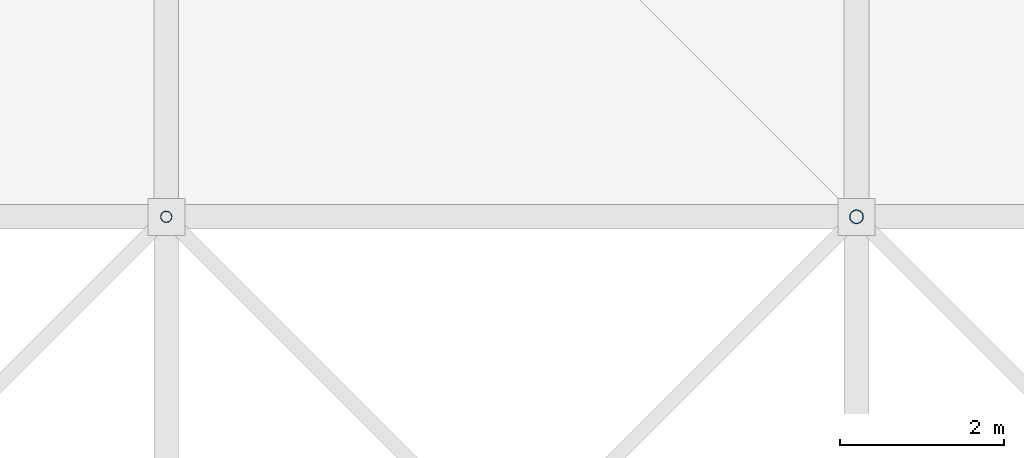
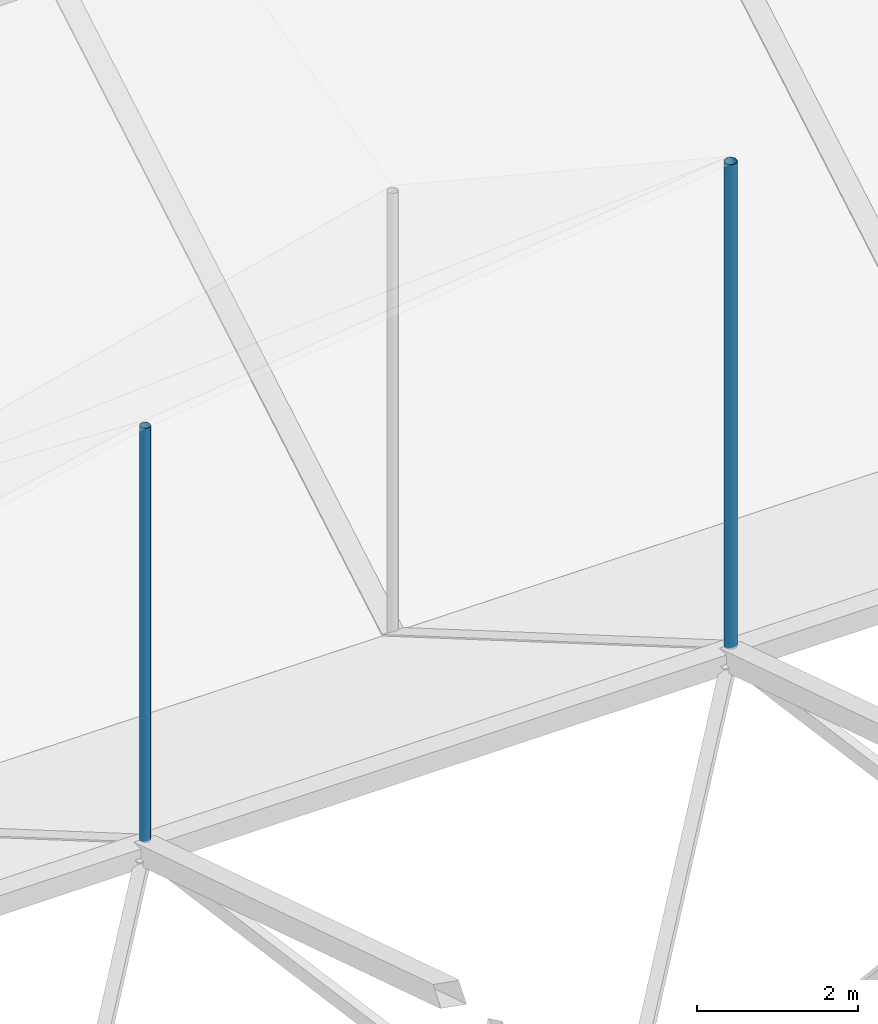
# One storey, part 73 of 111: 2 discrete accessories.
"""IFC4 building model written with IfcOpenShell, lengths in metres."""

from ifc_helpers import new_model, si_unit, direction, frame, origin, origin_2d, place, context, subcontext, project, spatial, hollow_circle, extrude, material, material_profile, profile_set, type_object, element, save


model = new_model("IFC4")

# Units and contexts
model_context = context("Model", 3, precision=1e-05, world=origin(), true_north=direction((0.0, 1.0)))
body_context = subcontext(model_context, "Body", "Model", "MODEL_VIEW")
ifc_project = project(units=[si_unit("LENGTHUNIT", "METRE"), si_unit("AREAUNIT", "SQUARE_METRE"), si_unit("VOLUMEUNIT", "CUBIC_METRE"), si_unit("PLANEANGLEUNIT", "RADIAN"), si_unit("MASSUNIT", "GRAM", prefix="KILO")], contexts=[model_context])

# Site, building, storey
site_placement = place(None, origin())
site = spatial("IfcSite", under=ifc_project, at=site_placement, CompositionType="ELEMENT")
building_placement = place(site_placement, origin())
building = spatial("IfcBuilding", under=site, at=building_placement, Name="Rain Tree Exposition and Congress Centre", CompositionType="ELEMENT")
storey_placement = place(building_placement, frame((0.0, 0.0, 19.5)))
storey = spatial("IfcBuildingStorey", under=building, at=storey_placement, Name="RF", CompositionType="ELEMENT", Elevation=19.5)

# Discrete accessories
ifc_material_1 = material(Name="Steel S355J2H", Category="steel")
ifc_material_profile_1 = material_profile(ifc_material_1, hollow_circle(Radius=0.06982421875, WallThickness=0.0048828125, at=origin_2d()), Name="CHS 140x5")
ifc_profile_set_1 = profile_set([ifc_material_profile_1], Name="Steel S355J2H")
discrete_accessory_type_1 = type_object("IfcDiscreteAccessoryType", Name="Roof skin post CHS 140x5", PredefinedType="BRACKET", material=ifc_profile_set_1)
discrete_accessory_1_placement = place(storey_placement, frame((176.39990234375, 142.800048828125, 5.39404296875), z_axis=(0.0, 0.0, 1.0), x_axis=(1.0, 0.0, 0.0)))
element("IfcDiscreteAccessory", 1, at=discrete_accessory_1_placement, inside=storey, type_object=discrete_accessory_type_1, Name="Roof skin post B70", PredefinedType="BRACKET", context=body_context, shape_type="SweptSolid", body=[
    extrude(hollow_circle(Radius=0.06982421875, WallThickness=0.0048828125, at=origin_2d()), origin(), (0.0, 0.0, 1.0), 6.285400390625),
])
ifc_material_2 = material(Name="Steel S355J2H", Category="steel")
ifc_material_profile_2 = material_profile(ifc_material_2, hollow_circle(Radius=0.084228515625, WallThickness=0.006103515625, at=origin_2d()), Name="CHS 168x6")
ifc_profile_set_2 = profile_set([ifc_material_profile_2], Name="Steel S355J2H")
discrete_accessory_type_2 = type_object("IfcDiscreteAccessoryType", Name="Roof skin post CHS 168x6", PredefinedType="BRACKET", material=ifc_profile_set_2)
discrete_accessory_2_placement = place(storey_placement, frame((184.800048828125, 142.800048828125, 5.39404296875), z_axis=(0.0, 0.0, 1.0), x_axis=(1.0, 0.0, 0.0)))
element("IfcDiscreteAccessory", 2, at=discrete_accessory_2_placement, inside=storey, type_object=discrete_accessory_type_2, Name="Roof skin post B71", PredefinedType="BRACKET", context=body_context, shape_type="SweptSolid", body=[
    extrude(hollow_circle(Radius=0.084228515625, WallThickness=0.006103515625, at=origin_2d()), origin(), (0.0, 0.0, 1.0), 7.3515625),
])

save(model, "model.ifc")
